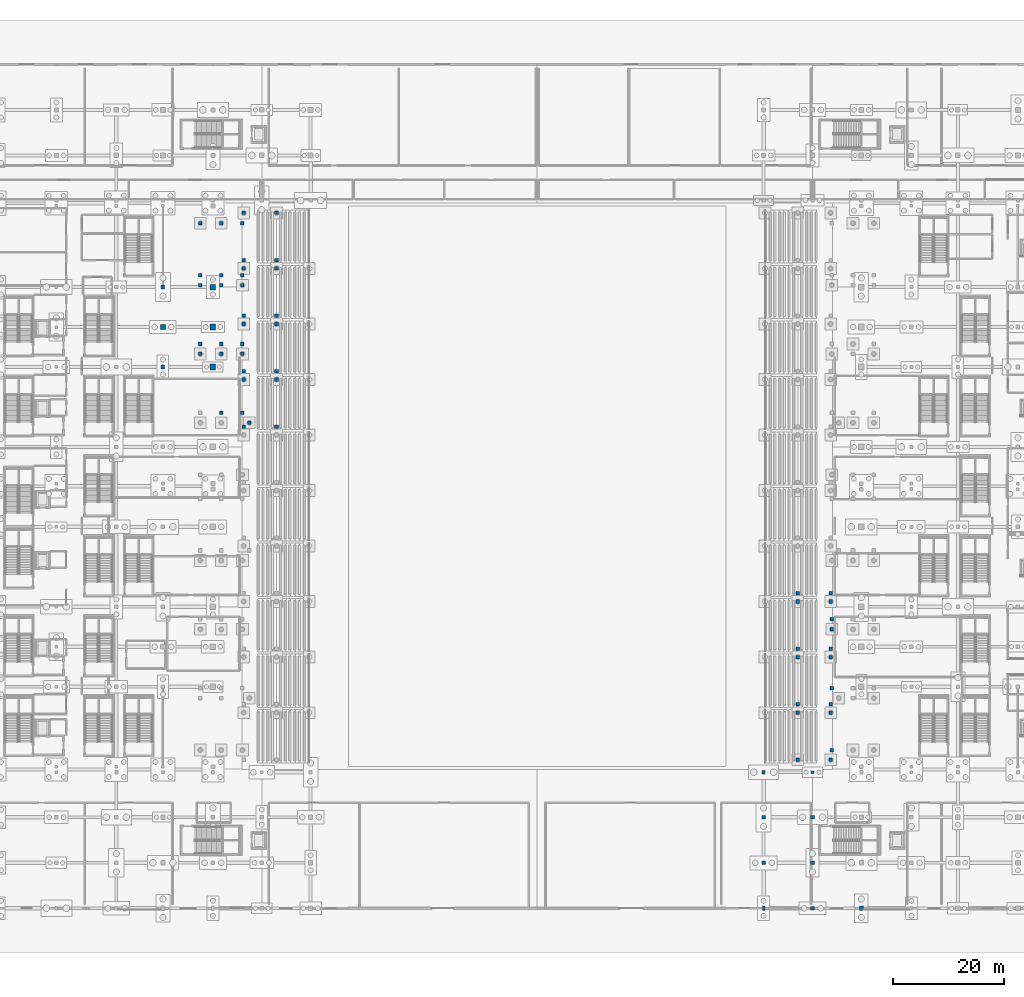
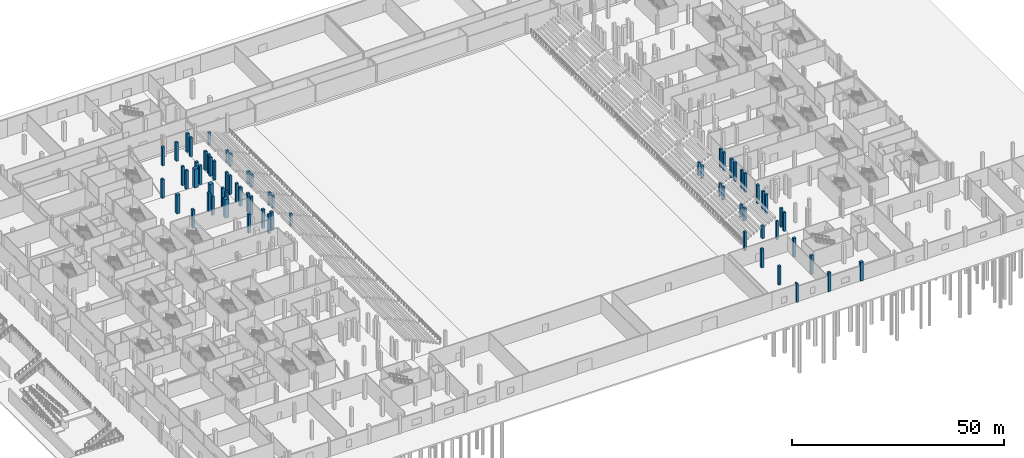
# One storey, part 16 of 89: 67 columns.
"""IFC4 building model written with IfcOpenShell, lengths in metres."""

from ifc_helpers import new_model, si_unit, direction, frame, origin, origin_2d, place, context, subcontext, project, spatial, rectangle, extrude, material, material_profile, profile_set, type_object, element, save


model = new_model("IFC4")

# Units and contexts
model_context = context("Model", 3, precision=1e-05, world=origin(), true_north=direction((0.0, 1.0)))
body_context = subcontext(model_context, "Body", "Model", "MODEL_VIEW")
ifc_project = project(units=[si_unit("LENGTHUNIT", "METRE"), si_unit("AREAUNIT", "SQUARE_METRE"), si_unit("VOLUMEUNIT", "CUBIC_METRE"), si_unit("PLANEANGLEUNIT", "RADIAN"), si_unit("MASSUNIT", "GRAM", prefix="KILO")], contexts=[model_context])

# Site, building, storey
site_placement = place(None, origin())
site = spatial("IfcSite", under=ifc_project, at=site_placement, CompositionType="ELEMENT")
building_placement = place(site_placement, origin())
building = spatial("IfcBuilding", under=site, at=building_placement, Name="Koshinbarg Plaza Stadium", CompositionType="ELEMENT")
storey_placement = place(building_placement, origin())
storey = spatial("IfcBuildingStorey", under=building, at=storey_placement, Name="L00", CompositionType="ELEMENT", Elevation=0.0)

# Columns
ifc_material = material(Name="Concrete C40/50", Category="concrete")
ifc_material_profile_1 = material_profile(ifc_material, rectangle(XDim=0.449951171875, YDim=0.800048828125, at=origin_2d()), Name="PIL 450x800")
ifc_profile_set_1 = profile_set([ifc_material_profile_1], Name="Concrete C40/50")
column_type_1 = type_object("IfcColumnType", Name="COL-PIL-02", PredefinedType="PILASTER", material=ifc_profile_set_1)
column_1_placement = place(storey_placement, frame((162.800048828125, 0.0, 0.0), z_axis=(0.0, 0.0, 1.0), x_axis=(1.0, 0.0, 0.0)))
element("IfcColumn", 1, at=column_1_placement, inside=storey, type_object=column_type_1, Name="L00 column 15/A", PredefinedType="PILASTER", context=body_context, shape_type="SweptSolid", body=[
    extrude(rectangle(XDim=0.449951171875, YDim=0.800048828125, at=origin_2d()), origin(), (0.0, 0.0, 1.0), 5.39990234375),
])
ifc_material_profile_2 = material_profile(ifc_material, rectangle(XDim=0.5, YDim=0.5, at=origin_2d()), Name="RC 500x500")
ifc_profile_set_2 = profile_set([ifc_material_profile_2], Name="Concrete C40/50")
column_type_2 = type_object("IfcColumnType", Name="COL-RC-02", PredefinedType="COLUMN", material=ifc_profile_set_2)
column_2_placement = place(storey_placement, frame((171.60009765625, 24.5, 0.0), z_axis=(0.0, 0.0, 1.0), x_axis=(1.0, 0.0, 0.0)))
element("IfcColumn", 2, at=column_2_placement, inside=storey, type_object=column_type_2, Name="L00 column 16/D", PredefinedType="COLUMN", context=body_context, shape_type="SweptSolid", body=[
    extrude(rectangle(XDim=0.5, YDim=0.5, at=origin_2d()), origin(), (0.0, 0.0, 1.0), 5.39990234375),
])
ifc_material_profile_3 = material_profile(ifc_material, rectangle(XDim=0.550048828125, YDim=0.550048828125, at=origin_2d()), Name="RC 550x550")
ifc_profile_set_3 = profile_set([ifc_material_profile_3], Name="Concrete C40/50")
column_type_3 = type_object("IfcColumnType", Name="COL-RC-03", PredefinedType="COLUMN", material=ifc_profile_set_3)
column_3_placement = place(storey_placement, frame((162.800048828125, 24.5, 0.0), z_axis=(0.0, 0.0, 1.0), x_axis=(1.0, 0.0, 0.0)))
element("IfcColumn", 3, at=column_3_placement, inside=storey, type_object=column_type_3, Name="L00 column 15/D", PredefinedType="COLUMN", context=body_context, shape_type="SweptSolid", body=[
    extrude(rectangle(XDim=0.550048828125, YDim=0.550048828125, at=origin_2d()), origin(), (0.0, 0.0, 1.0), 5.39990234375),
])
ifc_material_profile_4 = material_profile(ifc_material, rectangle(XDim=0.64990234375, YDim=0.64990234375, at=origin_2d()), Name="RC 650x650")
ifc_profile_set_4 = profile_set([ifc_material_profile_4], Name="Concrete C40/50")
column_type_4 = type_object("IfcColumnType", Name="COL-RC-05", PredefinedType="COLUMN", material=ifc_profile_set_4)
for number, where, z_axis, x_axis, name in (
    (4, (162.800048828125, 8.199951171875, 0.0), (0.0, 0.0, 1.0), (1.0, 0.0, 0.0), "L00 column 15/B"),
    (5, (162.800048828125, 16.39990234375, 0.0), (0.0, 0.0, 1.0), (1.0, 0.0, 0.0), "L00 column 15/C"),
    (6, (54.60009765625, 97.5, 0.0), (0.0, 0.0, 1.0), (1.0, 0.0, 0.0), "L00 column 8/N"),
    (7, (54.60009765625, 111.89990234375, 0.0), (0.0, 0.0, 1.0), (1.0, 0.0, 0.0), "L00 column 8/Q"),
):
    element("IfcColumn", number, at=place(storey_placement, frame(where, z_axis=z_axis, x_axis=x_axis)), inside=storey, type_object=column_type_4, Name=name, PredefinedType="COLUMN", context=body_context, shape_type="SweptSolid", body=[
        extrude(rectangle(XDim=0.64990234375, YDim=0.64990234375, at=origin_2d()), origin(), (0.0, 0.0, 1.0), 5.39990234375),
    ])
column_4_placement = place(storey_placement, frame((75.050048828125, 86.75, 0.0), z_axis=(0.0, 0.0, 1.0), x_axis=(1.0, 0.0, 0.0)))
element("IfcColumn", 8, at=column_4_placement, inside=storey, type_object=column_type_4, Name="L00 bowl raker column LT-W07-L-M", PredefinedType="COLUMN", context=body_context, shape_type="SweptSolid", body=[
    extrude(rectangle(XDim=0.64990234375, YDim=0.64990234375, at=origin_2d()), origin(), (0.0, 0.0, 1.0), 3.6083984375),
])
column_5_placement = place(storey_placement, frame((69.139892578125, 86.75, 0.0), z_axis=(0.0, 0.0, 1.0), x_axis=(1.0, 0.0, 0.0)))
element("IfcColumn", 9, at=column_5_placement, inside=storey, type_object=column_type_4, Name="L00 bowl raker column LT-W07-L-B", PredefinedType="COLUMN", context=body_context, shape_type="SweptSolid", body=[
    extrude(rectangle(XDim=0.64990234375, YDim=0.64990234375, at=origin_2d()), origin(), (0.0, 0.0, 1.0), 5.39990234375),
])
column_6_placement = place(storey_placement, frame((75.050048828125, 95.25, 0.0), z_axis=(0.0, 0.0, 1.0), x_axis=(1.0, 0.0, 0.0)))
element("IfcColumn", 10, at=column_6_placement, inside=storey, type_object=column_type_4, Name="L00 bowl raker column LT-W07-R-M", PredefinedType="COLUMN", context=body_context, shape_type="SweptSolid", body=[
    extrude(rectangle(XDim=0.64990234375, YDim=0.64990234375, at=origin_2d()), origin(), (0.0, 0.0, 1.0), 3.6083984375),
])
column_7_placement = place(storey_placement, frame((69.139892578125, 95.25, 0.0), z_axis=(0.0, 0.0, 1.0), x_axis=(1.0, 0.0, 0.0)))
element("IfcColumn", 11, at=column_7_placement, inside=storey, type_object=column_type_4, Name="L00 bowl raker column LT-W07-R-B", PredefinedType="COLUMN", context=body_context, shape_type="SweptSolid", body=[
    extrude(rectangle(XDim=0.64990234375, YDim=0.64990234375, at=origin_2d()), origin(), (0.0, 0.0, 1.0), 5.39990234375),
])
column_8_placement = place(storey_placement, frame((75.050048828125, 96.75, 0.0), z_axis=(0.0, 0.0, 1.0), x_axis=(1.0, 0.0, 0.0)))
element("IfcColumn", 12, at=column_8_placement, inside=storey, type_object=column_type_4, Name="L00 bowl raker column LT-W08-L-M", PredefinedType="COLUMN", context=body_context, shape_type="SweptSolid", body=[
    extrude(rectangle(XDim=0.64990234375, YDim=0.64990234375, at=origin_2d()), origin(), (0.0, 0.0, 1.0), 3.6083984375),
])
column_9_placement = place(storey_placement, frame((69.139892578125, 96.75, 0.0), z_axis=(0.0, 0.0, 1.0), x_axis=(1.0, 0.0, 0.0)))
element("IfcColumn", 13, at=column_9_placement, inside=storey, type_object=column_type_4, Name="L00 bowl raker column LT-W08-L-B", PredefinedType="COLUMN", context=body_context, shape_type="SweptSolid", body=[
    extrude(rectangle(XDim=0.64990234375, YDim=0.64990234375, at=origin_2d()), origin(), (0.0, 0.0, 1.0), 5.39990234375),
])
column_10_placement = place(storey_placement, frame((75.050048828125, 105.25, 0.0), z_axis=(0.0, 0.0, 1.0), x_axis=(1.0, 0.0, 0.0)))
element("IfcColumn", 14, at=column_10_placement, inside=storey, type_object=column_type_4, Name="L00 bowl raker column LT-W08-R-M", PredefinedType="COLUMN", context=body_context, shape_type="SweptSolid", body=[
    extrude(rectangle(XDim=0.64990234375, YDim=0.64990234375, at=origin_2d()), origin(), (0.0, 0.0, 1.0), 3.6083984375),
])
column_11_placement = place(storey_placement, frame((69.139892578125, 105.25, 0.0), z_axis=(0.0, 0.0, 1.0), x_axis=(1.0, 0.0, 0.0)))
element("IfcColumn", 15, at=column_11_placement, inside=storey, type_object=column_type_4, Name="L00 bowl raker column LT-W08-R-B", PredefinedType="COLUMN", context=body_context, shape_type="SweptSolid", body=[
    extrude(rectangle(XDim=0.64990234375, YDim=0.64990234375, at=origin_2d()), origin(), (0.0, 0.0, 1.0), 5.39990234375),
])
column_12_placement = place(storey_placement, frame((75.050048828125, 106.75, 0.0), z_axis=(0.0, 0.0, 1.0), x_axis=(1.0, 0.0, 0.0)))
element("IfcColumn", 16, at=column_12_placement, inside=storey, type_object=column_type_4, Name="L00 bowl raker column LT-W09-L-M", PredefinedType="COLUMN", context=body_context, shape_type="SweptSolid", body=[
    extrude(rectangle(XDim=0.64990234375, YDim=0.64990234375, at=origin_2d()), origin(), (0.0, 0.0, 1.0), 3.6083984375),
])
column_13_placement = place(storey_placement, frame((69.139892578125, 106.75, 0.0), z_axis=(0.0, 0.0, 1.0), x_axis=(1.0, 0.0, 0.0)))
element("IfcColumn", 17, at=column_13_placement, inside=storey, type_object=column_type_4, Name="L00 bowl raker column LT-W09-L-B", PredefinedType="COLUMN", context=body_context, shape_type="SweptSolid", body=[
    extrude(rectangle(XDim=0.64990234375, YDim=0.64990234375, at=origin_2d()), origin(), (0.0, 0.0, 1.0), 5.39990234375),
])
column_14_placement = place(storey_placement, frame((75.050048828125, 115.25, 0.0), z_axis=(0.0, 0.0, 1.0), x_axis=(1.0, 0.0, 0.0)))
element("IfcColumn", 18, at=column_14_placement, inside=storey, type_object=column_type_4, Name="L00 bowl raker column LT-W09-R-M", PredefinedType="COLUMN", context=body_context, shape_type="SweptSolid", body=[
    extrude(rectangle(XDim=0.64990234375, YDim=0.64990234375, at=origin_2d()), origin(), (0.0, 0.0, 1.0), 3.6083984375),
])
column_15_placement = place(storey_placement, frame((69.139892578125, 115.25, 0.0), z_axis=(0.0, 0.0, 1.0), x_axis=(1.0, 0.0, 0.0)))
element("IfcColumn", 19, at=column_15_placement, inside=storey, type_object=column_type_4, Name="L00 bowl raker column LT-W09-R-B", PredefinedType="COLUMN", context=body_context, shape_type="SweptSolid", body=[
    extrude(rectangle(XDim=0.64990234375, YDim=0.64990234375, at=origin_2d()), origin(), (0.0, 0.0, 1.0), 5.39990234375),
])
column_16_placement = place(storey_placement, frame((75.050048828125, 116.75, 0.0), z_axis=(0.0, 0.0, 1.0), x_axis=(1.0, 0.0, 0.0)))
element("IfcColumn", 20, at=column_16_placement, inside=storey, type_object=column_type_4, Name="L00 bowl raker column LT-W10-L-M", PredefinedType="COLUMN", context=body_context, shape_type="SweptSolid", body=[
    extrude(rectangle(XDim=0.64990234375, YDim=0.64990234375, at=origin_2d()), origin(), (0.0, 0.0, 1.0), 3.6083984375),
])
column_17_placement = place(storey_placement, frame((69.139892578125, 116.75, 0.0), z_axis=(0.0, 0.0, 1.0), x_axis=(1.0, 0.0, 0.0)))
element("IfcColumn", 21, at=column_17_placement, inside=storey, type_object=column_type_4, Name="L00 bowl raker column LT-W10-L-B", PredefinedType="COLUMN", context=body_context, shape_type="SweptSolid", body=[
    extrude(rectangle(XDim=0.64990234375, YDim=0.64990234375, at=origin_2d()), origin(), (0.0, 0.0, 1.0), 5.39990234375),
])
column_18_placement = place(storey_placement, frame((75.050048828125, 125.25, 0.0), z_axis=(0.0, 0.0, 1.0), x_axis=(1.0, 0.0, 0.0)))
element("IfcColumn", 22, at=column_18_placement, inside=storey, type_object=column_type_4, Name="L00 bowl raker column LT-W10-R-M", PredefinedType="COLUMN", context=body_context, shape_type="SweptSolid", body=[
    extrude(rectangle(XDim=0.64990234375, YDim=0.64990234375, at=origin_2d()), origin(), (0.0, 0.0, 1.0), 3.6083984375),
])
column_19_placement = place(storey_placement, frame((69.139892578125, 125.25, 0.0), z_axis=(0.0, 0.0, 1.0), x_axis=(1.0, 0.0, 0.0)))
element("IfcColumn", 23, at=column_19_placement, inside=storey, type_object=column_type_4, Name="L00 bowl raker column LT-W10-R-B", PredefinedType="COLUMN", context=body_context, shape_type="SweptSolid", body=[
    extrude(rectangle(XDim=0.64990234375, YDim=0.64990234375, at=origin_2d()), origin(), (0.0, 0.0, 1.0), 5.39990234375),
])
column_20_placement = place(storey_placement, frame((168.949951171875, 26.75, 0.0), z_axis=(0.0, 0.0, 1.0), x_axis=(1.0, 0.0, 0.0)))
element("IfcColumn", 24, at=column_20_placement, inside=storey, type_object=column_type_4, Name="L00 bowl raker column LT-E01-L-M", PredefinedType="COLUMN", context=body_context, shape_type="SweptSolid", body=[
    extrude(rectangle(XDim=0.64990234375, YDim=0.64990234375, at=origin_2d()), origin(), (0.0, 0.0, 1.0), 3.6083984375),
])
column_21_placement = place(storey_placement, frame((174.860107421875, 26.75, 0.0), z_axis=(0.0, 0.0, 1.0), x_axis=(1.0, 0.0, 0.0)))
element("IfcColumn", 25, at=column_21_placement, inside=storey, type_object=column_type_4, Name="L00 bowl raker column LT-E01-L-B", PredefinedType="COLUMN", context=body_context, shape_type="SweptSolid", body=[
    extrude(rectangle(XDim=0.64990234375, YDim=0.64990234375, at=origin_2d()), origin(), (0.0, 0.0, 1.0), 5.39990234375),
])
column_22_placement = place(storey_placement, frame((168.949951171875, 35.25, 0.0), z_axis=(0.0, 0.0, 1.0), x_axis=(1.0, 0.0, 0.0)))
element("IfcColumn", 26, at=column_22_placement, inside=storey, type_object=column_type_4, Name="L00 bowl raker column LT-E01-R-M", PredefinedType="COLUMN", context=body_context, shape_type="SweptSolid", body=[
    extrude(rectangle(XDim=0.64990234375, YDim=0.64990234375, at=origin_2d()), origin(), (0.0, 0.0, 1.0), 3.6083984375),
])
column_23_placement = place(storey_placement, frame((174.860107421875, 35.25, 0.0), z_axis=(0.0, 0.0, 1.0), x_axis=(1.0, 0.0, 0.0)))
element("IfcColumn", 27, at=column_23_placement, inside=storey, type_object=column_type_4, Name="L00 bowl raker column LT-E01-R-B", PredefinedType="COLUMN", context=body_context, shape_type="SweptSolid", body=[
    extrude(rectangle(XDim=0.64990234375, YDim=0.64990234375, at=origin_2d()), origin(), (0.0, 0.0, 1.0), 5.39990234375),
])
column_24_placement = place(storey_placement, frame((168.949951171875, 36.75, 0.0), z_axis=(0.0, 0.0, 1.0), x_axis=(1.0, 0.0, 0.0)))
element("IfcColumn", 28, at=column_24_placement, inside=storey, type_object=column_type_4, Name="L00 bowl raker column LT-E02-L-M", PredefinedType="COLUMN", context=body_context, shape_type="SweptSolid", body=[
    extrude(rectangle(XDim=0.64990234375, YDim=0.64990234375, at=origin_2d()), origin(), (0.0, 0.0, 1.0), 3.6083984375),
])
column_25_placement = place(storey_placement, frame((174.860107421875, 36.75, 0.0), z_axis=(0.0, 0.0, 1.0), x_axis=(1.0, 0.0, 0.0)))
element("IfcColumn", 29, at=column_25_placement, inside=storey, type_object=column_type_4, Name="L00 bowl raker column LT-E02-L-B", PredefinedType="COLUMN", context=body_context, shape_type="SweptSolid", body=[
    extrude(rectangle(XDim=0.64990234375, YDim=0.64990234375, at=origin_2d()), origin(), (0.0, 0.0, 1.0), 5.39990234375),
])
column_26_placement = place(storey_placement, frame((168.949951171875, 45.25, 0.0), z_axis=(0.0, 0.0, 1.0), x_axis=(1.0, 0.0, 0.0)))
element("IfcColumn", 30, at=column_26_placement, inside=storey, type_object=column_type_4, Name="L00 bowl raker column LT-E02-R-M", PredefinedType="COLUMN", context=body_context, shape_type="SweptSolid", body=[
    extrude(rectangle(XDim=0.64990234375, YDim=0.64990234375, at=origin_2d()), origin(), (0.0, 0.0, 1.0), 3.6083984375),
])
column_27_placement = place(storey_placement, frame((174.860107421875, 45.25, 0.0), z_axis=(0.0, 0.0, 1.0), x_axis=(1.0, 0.0, 0.0)))
element("IfcColumn", 31, at=column_27_placement, inside=storey, type_object=column_type_4, Name="L00 bowl raker column LT-E02-R-B", PredefinedType="COLUMN", context=body_context, shape_type="SweptSolid", body=[
    extrude(rectangle(XDim=0.64990234375, YDim=0.64990234375, at=origin_2d()), origin(), (0.0, 0.0, 1.0), 5.39990234375),
])
column_28_placement = place(storey_placement, frame((168.949951171875, 46.75, 0.0), z_axis=(0.0, 0.0, 1.0), x_axis=(1.0, 0.0, 0.0)))
element("IfcColumn", 32, at=column_28_placement, inside=storey, type_object=column_type_4, Name="L00 bowl raker column LT-E03-L-M", PredefinedType="COLUMN", context=body_context, shape_type="SweptSolid", body=[
    extrude(rectangle(XDim=0.64990234375, YDim=0.64990234375, at=origin_2d()), origin(), (0.0, 0.0, 1.0), 3.6083984375),
])
column_29_placement = place(storey_placement, frame((174.860107421875, 46.75, 0.0), z_axis=(0.0, 0.0, 1.0), x_axis=(1.0, 0.0, 0.0)))
element("IfcColumn", 33, at=column_29_placement, inside=storey, type_object=column_type_4, Name="L00 bowl raker column LT-E03-L-B", PredefinedType="COLUMN", context=body_context, shape_type="SweptSolid", body=[
    extrude(rectangle(XDim=0.64990234375, YDim=0.64990234375, at=origin_2d()), origin(), (0.0, 0.0, 1.0), 5.39990234375),
])
column_30_placement = place(storey_placement, frame((168.949951171875, 55.25, 0.0), z_axis=(0.0, 0.0, 1.0), x_axis=(1.0, 0.0, 0.0)))
element("IfcColumn", 34, at=column_30_placement, inside=storey, type_object=column_type_4, Name="L00 bowl raker column LT-E03-R-M", PredefinedType="COLUMN", context=body_context, shape_type="SweptSolid", body=[
    extrude(rectangle(XDim=0.64990234375, YDim=0.64990234375, at=origin_2d()), origin(), (0.0, 0.0, 1.0), 3.6083984375),
])
column_31_placement = place(storey_placement, frame((174.860107421875, 55.25, 0.0), z_axis=(0.0, 0.0, 1.0), x_axis=(1.0, 0.0, 0.0)))
element("IfcColumn", 35, at=column_31_placement, inside=storey, type_object=column_type_4, Name="L00 bowl raker column LT-E03-R-B", PredefinedType="COLUMN", context=body_context, shape_type="SweptSolid", body=[
    extrude(rectangle(XDim=0.64990234375, YDim=0.64990234375, at=origin_2d()), origin(), (0.0, 0.0, 1.0), 5.39990234375),
])
column_32_placement = place(storey_placement, frame((168.949951171875, 56.75, 0.0), z_axis=(0.0, 0.0, 1.0), x_axis=(1.0, 0.0, 0.0)))
element("IfcColumn", 36, at=column_32_placement, inside=storey, type_object=column_type_4, Name="L00 bowl raker column LT-E04-L-M", PredefinedType="COLUMN", context=body_context, shape_type="SweptSolid", body=[
    extrude(rectangle(XDim=0.64990234375, YDim=0.64990234375, at=origin_2d()), origin(), (0.0, 0.0, 1.0), 3.6083984375),
])
for number, where, z_axis, x_axis, name in (
    (37, (174.860107421875, 56.75, 0.0), (0.0, 0.0, 1.0), (1.0, 0.0, 0.0), "L00 bowl raker column LT-E04-L-B"),
    (38, (70.169921875, 87.449951171875, 0.0), (0.0, 0.0, 1.0), (1.0, 0.0, 0.0), "L00 bowl raker column UT-W05-R-CF"),
    (39, (68.919921875, 89.25, 0.0), (0.0, 0.0, 1.0), (1.0, 0.0, 0.0), "L00 bowl raker column UT-W06-L-CF"),
    (40, (65.10009765625, 89.25, 0.0), (0.0, 0.0, 1.0), (1.0, 0.0, 0.0), "L00 bowl raker column UT-W06-L-CM"),
    (41, (68.919921875, 99.85009765625, 0.0), (0.0, 0.0, 1.0), (1.0, 0.0, 0.0), "L00 bowl raker column UT-W06-R-CF"),
    (42, (65.10009765625, 99.85009765625, 0.0), (0.0, 0.0, 1.0), (1.0, 0.0, 0.0), "L00 bowl raker column UT-W06-R-CM"),
    (43, (61.340087890625, 99.85009765625, 0.0), (0.0, 0.0, 1.0), (1.0, 0.0, 0.0), "L00 bowl raker column UT-W06-R-CB"),
    (44, (68.919921875, 101.64990234375, 0.0), (0.0, 0.0, 1.0), (1.0, 0.0, 0.0), "L00 bowl raker column UT-W07-L-CF"),
    (45, (65.10009765625, 101.64990234375, 0.0), (0.0, 0.0, 1.0), (1.0, 0.0, 0.0), "L00 bowl raker column UT-W07-L-CM"),
    (46, (61.340087890625, 101.64990234375, 0.0), (0.0, 0.0, 1.0), (1.0, 0.0, 0.0), "L00 bowl raker column UT-W07-L-CB"),
    (47, (68.919921875, 112.25, 0.0), (0.0, 0.0, 1.0), (1.0, 0.0, 0.0), "L00 bowl raker column UT-W07-R-CF"),
    (48, (65.10009765625, 112.25, 0.0), (0.0, 0.0, 1.0), (1.0, 0.0, 0.0), "L00 bowl raker column UT-W07-R-CM"),
    (49, (61.340087890625, 112.25, 0.0), (0.0, 0.0, 1.0), (1.0, 0.0, 0.0), "L00 bowl raker column UT-W07-R-CB"),
    (50, (68.919921875, 114.050048828125, 0.0), (0.0, 0.0, 1.0), (1.0, 0.0, 0.0), "L00 bowl raker column UT-W08-L-CF"),
    (51, (65.10009765625, 114.050048828125, 0.0), (0.0, 0.0, 1.0), (1.0, 0.0, 0.0), "L00 bowl raker column UT-W08-L-CM"),
    (52, (61.340087890625, 114.050048828125, 0.0), (0.0, 0.0, 1.0), (1.0, 0.0, 0.0), "L00 bowl raker column UT-W08-L-CB"),
    (53, (68.919921875, 123.39990234375, 0.0), (0.0, 0.0, 1.0), (1.0, 0.0, 0.0), "L00 bowl raker column UT-W08-R-CF"),
    (54, (65.10009765625, 123.39990234375, 0.0), (0.0, 0.0, 1.0), (1.0, 0.0, 0.0), "L00 bowl raker column UT-W08-R-CM"),
    (55, (61.340087890625, 123.39990234375, 0.0), (0.0, 0.0, 1.0), (1.0, 0.0, 0.0), "L00 bowl raker column UT-W08-R-CB"),
    (56, (175.080078125, 28.5, 0.0), (0.0, 0.0, 1.0), (1.0, 0.0, 0.0), "L00 bowl raker column UT-E01-L-CF"),
    (57, (175.080078125, 39.64990234375, 0.0), (0.0, 0.0, 1.0), (1.0, 0.0, 0.0), "L00 bowl raker column UT-E02-L-CF"),
    (58, (175.080078125, 50.25, 0.0), (0.0, 0.0, 1.0), (1.0, 0.0, 0.0), "L00 bowl raker column UT-E02-R-CF"),
    (59, (175.080078125, 52.050048828125, 0.0), (0.0, 0.0, 1.0), (1.0, 0.0, 0.0), "L00 bowl raker column UT-E03-L-CF"),
):
    element("IfcColumn", number, at=place(storey_placement, frame(where, z_axis=z_axis, x_axis=x_axis)), inside=storey, type_object=column_type_4, Name=name, PredefinedType="COLUMN", context=body_context, shape_type="SweptSolid", body=[
        extrude(rectangle(XDim=0.64990234375, YDim=0.64990234375, at=origin_2d()), origin(), (0.0, 0.0, 1.0), 5.39990234375),
    ])
ifc_material_profile_5 = material_profile(ifc_material, rectangle(XDim=0.699951171875, YDim=0.699951171875, at=origin_2d()), Name="RC 700x700")
ifc_profile_set_5 = profile_set([ifc_material_profile_5], Name="Concrete C40/50")
column_type_5 = type_object("IfcColumnType", Name="COL-RC-06", PredefinedType="COLUMN", material=ifc_profile_set_5)
for number, where, z_axis, x_axis, name in (
    (60, (171.60009765625, 0.0, 0.0), (0.0, 0.0, 1.0), (1.0, 0.0, 0.0), "L00 column 16/A"),
    (61, (171.60009765625, 8.199951171875, 0.0), (0.0, 0.0, 1.0), (1.0, 0.0, 0.0), "L00 column 16/B"),
    (62, (171.60009765625, 16.39990234375, 0.0), (0.0, 0.0, 1.0), (1.0, 0.0, 0.0), "L00 column 16/C"),
):
    element("IfcColumn", number, at=place(storey_placement, frame(where, z_axis=z_axis, x_axis=x_axis)), inside=storey, type_object=column_type_5, Name=name, PredefinedType="COLUMN", context=body_context, shape_type="SweptSolid", body=[
        extrude(rectangle(XDim=0.699951171875, YDim=0.699951171875, at=origin_2d()), origin(), (0.0, 0.0, 1.0), 5.39990234375),
    ])
ifc_material_profile_6 = material_profile(ifc_material, rectangle(XDim=0.75, YDim=0.75, at=origin_2d()), Name="RC 750x750")
ifc_profile_set_6 = profile_set([ifc_material_profile_6], Name="Concrete C40/50")
column_type_6 = type_object("IfcColumnType", Name="COL-RC-07", PredefinedType="COLUMN", material=ifc_profile_set_6)
column_33_placement = place(storey_placement, frame((180.39990234375, 0.0, 0.0), z_axis=(0.0, 0.0, 1.0), x_axis=(1.0, 0.0, 0.0)))
element("IfcColumn", 63, at=column_33_placement, inside=storey, type_object=column_type_6, Name="L00 column 17/A", PredefinedType="COLUMN", context=body_context, shape_type="SweptSolid", body=[
    extrude(rectangle(XDim=0.75, YDim=0.75, at=origin_2d()), origin(), (0.0, 0.0, 1.0), 5.39990234375),
])
ifc_material_profile_7 = material_profile(ifc_material, rectangle(XDim=0.85009765625, YDim=0.85009765625, at=origin_2d()), Name="RC 850x850")
ifc_profile_set_7 = profile_set([ifc_material_profile_7], Name="Concrete C40/50")
column_type_7 = type_object("IfcColumnType", Name="COL-RC-09", PredefinedType="COLUMN", material=ifc_profile_set_7)
column_34_placement = place(storey_placement, frame((54.60009765625, 104.699951171875, 0.0), z_axis=(0.0, 0.0, 1.0), x_axis=(1.0, 0.0, 0.0)))
element("IfcColumn", 64, at=column_34_placement, inside=storey, type_object=column_type_7, Name="L00 column 8/P", PredefinedType="COLUMN", context=body_context, shape_type="SweptSolid", body=[
    extrude(rectangle(XDim=0.85009765625, YDim=0.85009765625, at=origin_2d()), origin(), (0.0, 0.0, 1.0), 5.39990234375),
])
ifc_material_profile_8 = material_profile(ifc_material, rectangle(XDim=1.0, YDim=1.0, at=origin_2d()), Name="RC 1000x1000")
ifc_profile_set_8 = profile_set([ifc_material_profile_8], Name="Concrete C40/50")
column_type_8 = type_object("IfcColumnType", Name="COL-RC-11", PredefinedType="COLUMN", material=ifc_profile_set_8)
for number, where, z_axis, x_axis, name in (
    (65, (63.60009765625, 97.5, 0.0), (0.0, 0.0, 1.0), (1.0, 0.0, 0.0), "L00 column 9/N"),
    (66, (63.60009765625, 104.699951171875, 0.0), (0.0, 0.0, 1.0), (1.0, 0.0, 0.0), "L00 column 9/P"),
    (67, (63.60009765625, 111.89990234375, 0.0), (0.0, 0.0, 1.0), (1.0, 0.0, 0.0), "L00 column 9/Q"),
):
    element("IfcColumn", number, at=place(storey_placement, frame(where, z_axis=z_axis, x_axis=x_axis)), inside=storey, type_object=column_type_8, Name=name, PredefinedType="COLUMN", context=body_context, shape_type="SweptSolid", body=[
        extrude(rectangle(XDim=1.0, YDim=1.0, at=origin_2d()), origin(), (0.0, 0.0, 1.0), 5.39990234375),
    ])

save(model, "model.ifc")
